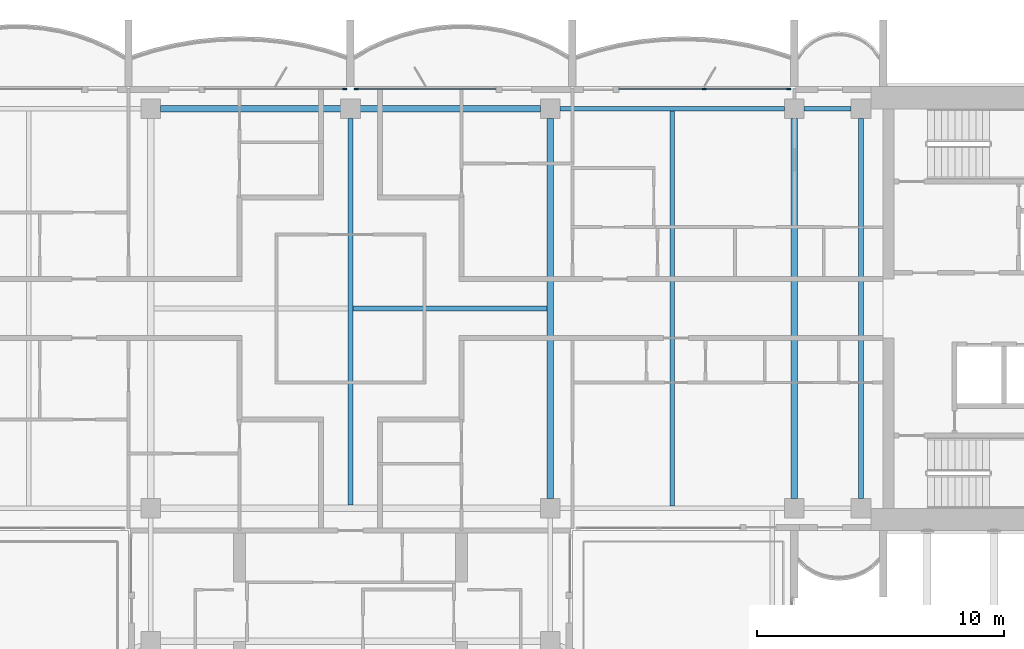
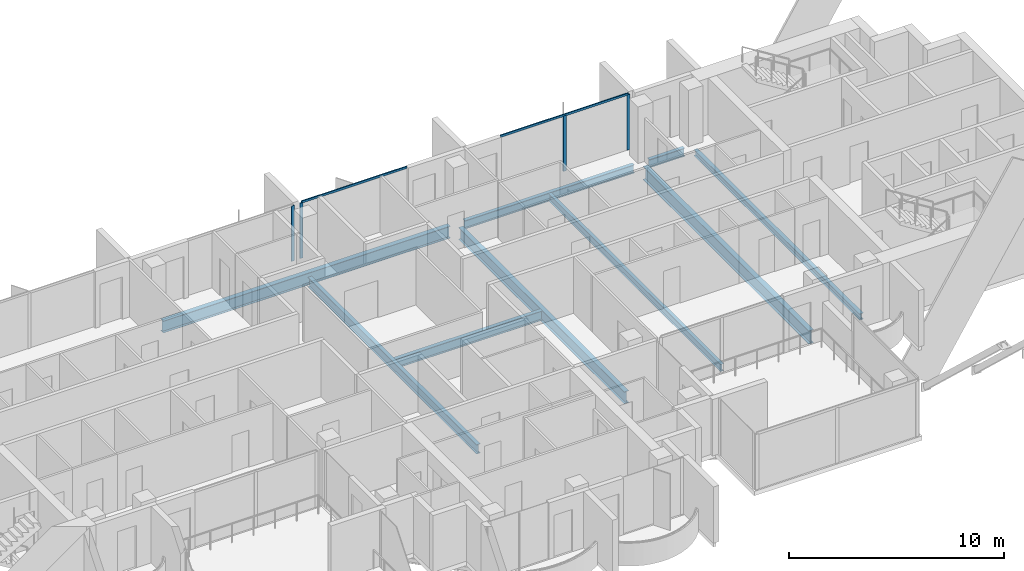
# One storey, part 5 of 18: 9 beams, 6 members, 3 elements without a shape of their own.
"""IFC4 building model written with IfcOpenShell, lengths in metres."""

from ifc_helpers import new_model, si_unit, direction, frame, origin, origin_2d, place, context, subcontext, project, spatial, rectangle, i_section, extrude, material, material_profile, profile_set, type_object, element, aggregate, save


model = new_model("IFC4")

# Units and contexts
model_context = context("Model", 3, precision=1e-05, world=origin(), true_north=direction((0.0, 1.0)))
body_context = subcontext(model_context, "Body", "Model", "MODEL_VIEW")
ifc_project = project(units=[si_unit("LENGTHUNIT", "METRE"), si_unit("AREAUNIT", "SQUARE_METRE"), si_unit("VOLUMEUNIT", "CUBIC_METRE"), si_unit("PLANEANGLEUNIT", "RADIAN"), si_unit("MASSUNIT", "GRAM", prefix="KILO")], contexts=[model_context])

# Site, building, storey
site_placement = place(None, origin())
site = spatial("IfcSite", under=ifc_project, at=site_placement, CompositionType="ELEMENT")
building_placement = place(site_placement, origin())
building = spatial("IfcBuilding", under=site, at=building_placement, Name="Perihelion Cross Residences", CompositionType="ELEMENT")
storey_placement = place(building_placement, frame((0.0, 0.0, 281.5)))
storey = spatial("IfcBuildingStorey", under=building, at=storey_placement, Name="L72", CompositionType="ELEMENT", Elevation=281.5)

# Curtain wall, members
ifc_material_1 = material(Name="Bronze anodised aluminium, tinted glazing", Category="aluminium")
curtain_wall_type = type_object("IfcCurtainWallType", Name="CW1", PredefinedType="NOTDEFINED", material=ifc_material_1)
curtain_wall_1_placement = place(storey_placement, origin())
curtain_wall_1 = element("IfcCurtainWall", 1, at=curtain_wall_1_placement, inside=storey, type_object=curtain_wall_type, Name="Curtain wall CW1 L72 east side north bay 2", PredefinedType="NOTDEFINED")
ifc_material_2 = material(Name="Bronze anodised aluminium", Category="aluminium")
ifc_material_profile_1 = material_profile(ifc_material_2, rectangle(XDim=0.06005859375, YDim=0.159912109375, at=origin_2d()), Name="CW1 mullion")
ifc_profile_set_1 = profile_set([ifc_material_profile_1], Name="Bronze anodised aluminium")
member_type_1 = type_object("IfcMemberType", Name="CW1 mullion", PredefinedType="MULLION", material=ifc_profile_set_1)
member_1_placement = place(storey_placement, frame((17.77001953125, 8.89990234375, 0.0), z_axis=(0.0, 0.0, 1.0), x_axis=(0.0, -1.0, 0.0)))
member_1 = element("IfcMember", 2, at=member_1_placement, type_object=member_type_1, Name="CW1 mullion 1", PredefinedType="MULLION", context=body_context, shape_type="SweptSolid", body=[
    extrude(rectangle(XDim=0.06005859375, YDim=0.159912109375, at=origin_2d()), origin(), (0.0, 0.0, 1.0), 3.139892578125),
])
member_2_placement = place(storey_placement, frame((14.35009765625, 8.89990234375, 0.0), z_axis=(0.0, 0.0, 1.0), x_axis=(0.0, -1.0, 0.0)))
member_2 = element("IfcMember", 3, at=member_2_placement, type_object=member_type_1, Name="CW1 mullion 2", PredefinedType="MULLION", context=body_context, shape_type="SweptSolid", body=[
    extrude(rectangle(XDim=0.06005859375, YDim=0.159912109375, at=origin_2d()), origin(), (0.0, 0.0, 1.0), 3.139892578125),
])

# Curtain wall, member
curtain_wall_2_placement = place(storey_placement, origin())
curtain_wall_2 = element("IfcCurtainWall", 4, at=curtain_wall_2_placement, inside=storey, type_object=curtain_wall_type, Name="Curtain wall CW1 L72 north side east bay 1", PredefinedType="NOTDEFINED")
member_3_placement = place(storey_placement, frame((0.22998046875, 8.89990234375, 0.0), z_axis=(0.0, 0.0, 1.0), x_axis=(0.0, -1.0, 0.0)))
member_3 = element("IfcMember", 5, at=member_3_placement, type_object=member_type_1, Name="CW1 mullion 2", PredefinedType="MULLION", context=body_context, shape_type="SweptSolid", body=[
    extrude(rectangle(XDim=0.06005859375, YDim=0.159912109375, at=origin_2d()), origin(), (0.0, 0.0, 1.0), 3.139892578125),
])

curtain_wall_3_placement = place(storey_placement, origin())
curtain_wall_3 = element("IfcCurtainWall", 6, at=curtain_wall_3_placement, inside=storey, type_object=curtain_wall_type, Name="Curtain wall CW1 L72 north side east bay 2", PredefinedType="NOTDEFINED")
member_4_placement = place(storey_placement, frame((-0.22998046875, 8.89990234375, 0.0), z_axis=(0.0, 0.0, 1.0), x_axis=(0.0, -1.0, 0.0)))
member_4 = element("IfcMember", 7, at=member_4_placement, type_object=member_type_1, Name="CW1 mullion 1", PredefinedType="MULLION", context=body_context, shape_type="SweptSolid", body=[
    extrude(rectangle(XDim=0.06005859375, YDim=0.159912109375, at=origin_2d()), origin(), (0.0, 0.0, 1.0), 3.139892578125),
])
aggregate(curtain_wall_3, [member_4])

# Member
ifc_material_3 = material(Name="Bronze anodised aluminium", Category="aluminium")
ifc_material_profile_2 = material_profile(ifc_material_3, rectangle(XDim=0.06005859375, YDim=0.1201171875, at=origin_2d()), Name="CW1 transom")
ifc_profile_set_2 = profile_set([ifc_material_profile_2], Name="Bronze anodised aluminium")
member_type_2 = type_object("IfcMemberType", Name="CW1 transom", PredefinedType="USERDEFINED", material=ifc_profile_set_2)
member_5_placement = place(storey_placement, frame((17.77001953125, 8.89990234375, 3.169921875), z_axis=(-1.0, 0.0, 0.0), x_axis=(0.0, -1.0, 0.0)))
member_5 = element("IfcMember", 8, at=member_5_placement, type_object=member_type_2, Name="CW1 head transom", ObjectType="TRANSOM", PredefinedType="USERDEFINED", context=body_context, shape_type="SweptSolid", body=[
    extrude(rectangle(XDim=0.06005859375, YDim=0.1201171875, at=origin_2d()), origin(), (0.0, 0.0, 1.0), 6.8701171875),
])

aggregate(curtain_wall_1, [member_1, member_2, member_5])

member_6_placement = place(storey_placement, frame((5.89990234375, 8.89990234375, 3.169921875), z_axis=(-1.0, 0.0, 0.0), x_axis=(0.0, -1.0, 0.0)))
member_6 = element("IfcMember", 9, at=member_6_placement, type_object=member_type_2, Name="CW1 head transom", ObjectType="TRANSOM", PredefinedType="USERDEFINED", context=body_context, shape_type="SweptSolid", body=[
    extrude(rectangle(XDim=0.06005859375, YDim=0.1201171875, at=origin_2d()), origin(), (0.0, 0.0, 1.0), 5.669921875),
])

aggregate(curtain_wall_2, [member_3, member_6])

# Beams
ifc_material_4 = material(Name="Steel S355", Category="steel")
ifc_material_profile_3 = material_profile(ifc_material_4, i_section(OverallWidth=0.205078125, OverallDepth=0.35302734375, WebThickness=0.009521484375, FlangeThickness=0.016845703125, at=origin_2d()), Name="W360x79")
ifc_profile_set_3 = profile_set([ifc_material_profile_3], Name="Steel S355")
beam_type_1 = type_object("IfcBeamType", Name="Core edge beam W360x79", PredefinedType="BEAM", material=ifc_profile_set_3)
beam_1_placement = place(storey_placement, frame((20.699951171875, -7.699951171875, -0.426513671875), z_axis=(0.0, 1.0, 0.0), x_axis=(-1.0, 0.0, 0.0)))
element("IfcBeam", 10, at=beam_1_placement, inside=storey, type_object=beam_type_1, Name="Core edge beam TB7 L72 no. 2", PredefinedType="BEAM", context=body_context, shape_type="SweptSolid", body=[
    extrude(i_section(OverallWidth=0.205078125, OverallDepth=0.35302734375, WebThickness=0.009521484375, FlangeThickness=0.016845703125, at=origin_2d()), origin(), (0.0, 0.0, 1.0), 15.39990234375),
])
ifc_material_5 = material(Name="Steel S355", Category="steel")
ifc_material_profile_4 = material_profile(ifc_material_5, i_section(OverallWidth=0.194091796875, OverallDepth=0.469970703125, WebThickness=0.0126953125, FlangeThickness=0.0205078125, at=origin_2d()), Name="W460x106")
ifc_profile_set_4 = profile_set([ifc_material_profile_4], Name="Steel S355")
beam_type_2 = type_object("IfcBeamType", Name="Edge beam W460x106", PredefinedType="SPANDREL", material=ifc_profile_set_4)
beam_2_placement = place(storey_placement, frame((20.300048828125, 8.10009765625, -0.485107421875), z_axis=(-1.0, 0.0, 0.0), x_axis=(0.0, -1.0, 0.0)))
element("IfcBeam", 11, at=beam_2_placement, inside=storey, type_object=beam_type_2, Name="Edge beam SB5 L72 no. 10", PredefinedType="SPANDREL", context=body_context, shape_type="SweptSolid", body=[
    extrude(i_section(OverallWidth=0.194091796875, OverallDepth=0.469970703125, WebThickness=0.0126953125, FlangeThickness=0.0205078125, at=origin_2d()), origin(), (0.0, 0.0, 1.0), 1.900146484375),
])
beam_3_placement = place(storey_placement, frame((17.60009765625, 8.10009765625, -0.485107421875), z_axis=(-1.0, 0.0, 0.0), x_axis=(0.0, -1.0, 0.0)))
element("IfcBeam", 12, at=beam_3_placement, inside=storey, type_object=beam_type_2, Name="Edge beam SB5 L72 no. 9", PredefinedType="SPANDREL", context=body_context, shape_type="SweptSolid", body=[
    extrude(i_section(OverallWidth=0.194091796875, OverallDepth=0.469970703125, WebThickness=0.0126953125, FlangeThickness=0.0205078125, at=origin_2d()), origin(), (0.0, 0.0, 1.0), 9.10009765625),
])
ifc_material_6 = material(Name="Steel S355", Category="steel")
ifc_material_profile_5 = material_profile(ifc_material_6, i_section(OverallWidth=0.26708984375, OverallDepth=0.75390625, WebThickness=0.01318359375, FlangeThickness=0.01708984375, at=origin_2d()), Name="W760x147")
ifc_profile_set_5 = profile_set([ifc_material_profile_5], Name="Steel S355")
beam_type_3 = type_object("IfcBeamType", Name="Floor girder W760x147", PredefinedType="BEAM", material=ifc_profile_set_5)
beam_4_placement = place(storey_placement, frame((18.0, -7.699951171875, -0.626953125), z_axis=(0.0, 1.0, 0.0), x_axis=(-1.0, 0.0, 0.0)))
element("IfcBeam", 13, at=beam_4_placement, inside=storey, type_object=beam_type_3, Name="Girder G5 L72 no. 2", PredefinedType="BEAM", context=body_context, shape_type="SweptSolid", body=[
    extrude(i_section(OverallWidth=0.26708984375, OverallDepth=0.75390625, WebThickness=0.01318359375, FlangeThickness=0.01708984375, at=origin_2d()), origin(), (0.0, 0.0, 1.0), 15.39990234375),
])
ifc_material_7 = material(Name="Steel S355", Category="steel")
ifc_material_profile_6 = material_profile(ifc_material_7, i_section(OverallWidth=0.177978515625, OverallDepth=0.406005859375, WebThickness=0.0078125, FlangeThickness=0.0126953125, at=origin_2d()), Name="W410x60")
ifc_profile_set_6 = profile_set([ifc_material_profile_6], Name="Steel S355")
beam_type_4 = type_object("IfcBeamType", Name="Floor joist W410x60", PredefinedType="JOIST", material=ifc_profile_set_6)
beam_5_placement = place(storey_placement, frame((13.050048828125, -8.0029296875, -0.452880859375), z_axis=(0.0, 1.0, 0.0), x_axis=(-1.0, 0.0, 0.0)))
element("IfcBeam", 14, at=beam_5_placement, inside=storey, type_object=beam_type_4, Name="Joist J6 L72 no. 2", PredefinedType="JOIST", context=body_context, shape_type="SweptSolid", body=[
    extrude(i_section(OverallWidth=0.177978515625, OverallDepth=0.406005859375, WebThickness=0.0078125, FlangeThickness=0.0126953125, at=origin_2d()), origin(), (0.0, 0.0, 1.0), 16.005859375),
])
ifc_material_8 = material(Name="Steel S355", Category="steel")
ifc_material_profile_7 = material_profile(ifc_material_8, i_section(OverallWidth=0.208984375, OverallDepth=0.532958984375, WebThickness=0.01025390625, FlangeThickness=0.015625, at=origin_2d()), Name="W530x92")
ifc_profile_set_7 = profile_set([ifc_material_profile_7], Name="Steel S355")
beam_type_5 = type_object("IfcBeamType", Name="Hub cross beam W530x92", PredefinedType="BEAM", material=ifc_profile_set_7)
beam_6_placement = place(storey_placement, frame((0.0, -7.972900390625, -0.5166015625), z_axis=(0.0, 1.0, 0.0), x_axis=(-1.0, 0.0, 0.0)))
element("IfcBeam", 15, at=beam_6_placement, inside=storey, type_object=beam_type_5, Name="Hub cross beam XB5 L72 no. 1", PredefinedType="BEAM", context=body_context, shape_type="SweptSolid", body=[
    extrude(i_section(OverallWidth=0.208984375, OverallDepth=0.532958984375, WebThickness=0.01025390625, FlangeThickness=0.015625, at=origin_2d()), origin(), (0.0, 0.0, 1.0), 15.6728515625),
])
beam_7_placement = place(storey_placement, frame((0.1044921875, 0.0, -0.5166015625), z_axis=(1.0, 0.0, 0.0), x_axis=(0.0, 1.0, 0.0)))
element("IfcBeam", 16, at=beam_7_placement, inside=storey, type_object=beam_type_5, Name="Hub cross beam XB5 L72 2 no. 1", PredefinedType="BEAM", context=body_context, shape_type="SweptSolid", body=[
    extrude(i_section(OverallWidth=0.208984375, OverallDepth=0.532958984375, WebThickness=0.01025390625, FlangeThickness=0.015625, at=origin_2d()), origin(), (0.0, 0.0, 1.0), 7.868408203125),
])
ifc_material_9 = material(Name="Steel S355", Category="steel")
ifc_material_profile_8 = material_profile(ifc_material_9, i_section(OverallWidth=0.25390625, OverallDepth=0.677978515625, WebThickness=0.01171875, FlangeThickness=0.016357421875, at=origin_2d()), Name="W690x125")
ifc_profile_set_8 = profile_set([ifc_material_profile_8], Name="Steel S355")
beam_type_6 = type_object("IfcBeamType", Name="Hub ring girder W690x125", PredefinedType="BEAM", material=ifc_profile_set_8)
for number, where, z_axis, x_axis, name in (
    (17, (8.10009765625, -7.699951171875, -0.589111328125), (0.0, 1.0, 0.0), (-1.0, 0.0, 0.0), "Hub ring girder RG5 L72 no. 3"),
    (18, (7.699951171875, 8.10009765625, -0.589111328125), (-1.0, 0.0, 0.0), (0.0, -1.0, 0.0), "Hub ring girder RG5 L72 no. 4"),
):
    element("IfcBeam", number, at=place(storey_placement, frame(where, z_axis=z_axis, x_axis=x_axis)), inside=storey, type_object=beam_type_6, Name=name, PredefinedType="BEAM", context=body_context, shape_type="SweptSolid", body=[
        extrude(i_section(OverallWidth=0.25390625, OverallDepth=0.677978515625, WebThickness=0.01171875, FlangeThickness=0.016357421875, at=origin_2d()), origin(), (0.0, 0.0, 1.0), 15.39990234375),
    ])

save(model, "model.ifc")
